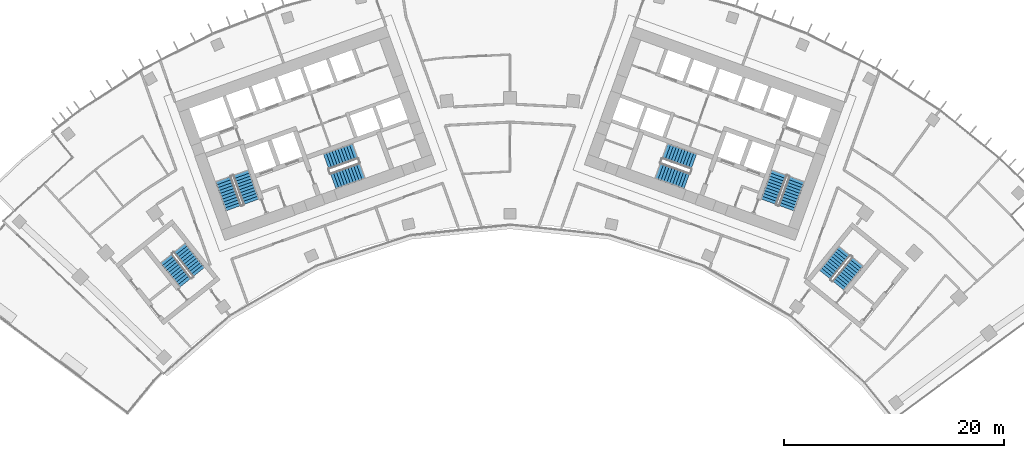
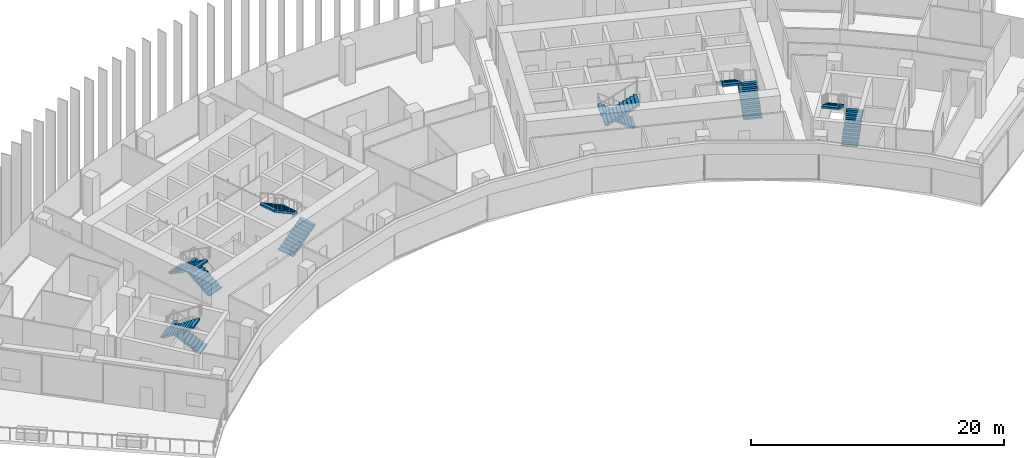
# One storey, part 18 of 20: 12 stair flights, 6 elements without a shape of their own.
"""IFC4 building model written with IfcOpenShell, lengths in metres."""

import ifcopenshell
import ifcopenshell.guid

model = None  # the IFC model being written
_history = None  # IfcOwnerHistory: only IFC2X3 demands one
_inside = {}  # id of a spatial element -> (the spatial element, [elements in it])
_under = {}  # id of a project, library or spatial element -> (it, [spatial elements below it])
_declared = {}  # id of a project -> (the project, [libraries it declares])
_typed = {}  # id of a type object -> (the type object, [elements of that type])
_made_of = {}  # id of a material, layer set ... -> (it, [elements and type objects made of it])


def new_model(schema):
    """Start an empty IFC model of exactly this schema.

    Asked for "IFC4X3", IfcOpenShell would pick the latest addendum, in which some entities
    have other attributes; the version numbers below select the first issue.
    IFC2X3 requires an IfcOwnerHistory on every rooted entity: one is made here for all.
    """
    global model, _history
    if schema == "IFC4X3":
        model = ifcopenshell.file(schema_version=(4, 3, 0, 0))
    else:
        model = ifcopenshell.file(schema=schema)
    _inside.clear()
    _under.clear()
    _declared.clear()
    _typed.clear()
    _made_of.clear()
    _history = None
    if model.schema == "IFC2X3":
        org = make("IfcOrganization", Name="unknown")
        user = make(
            "IfcPersonAndOrganization",
            ThePerson=make("IfcPerson", FamilyName="unknown"),
            TheOrganization=org,
        )
        app = make(
            "IfcApplication",
            ApplicationDeveloper=org,
            Version="unknown",
            ApplicationFullName="unknown",
            ApplicationIdentifier="unknown",
        )
        _history = make(
            "IfcOwnerHistory",
            OwningUser=user,
            OwningApplication=app,
            ChangeAction="ADDED",
            CreationDate=0,
        )
    return model


def make(cls, **values):
    """One entity of the class cls with the attributes given. An attribute that is None is left unset."""
    return model.create_entity(
        cls, **{name: value for name, value in values.items() if value is not None}
    )


def rooted(cls, **values):
    """An entity with a GlobalId (a new one), such as an element, a storey or a relation."""
    return make(cls, GlobalId=ifcopenshell.guid.new(), OwnerHistory=_history, **values)


def si_unit(unit_type, name, prefix=None):
    """IfcSIUnit, for example si_unit("LENGTHUNIT", "METRE", prefix="MILLI")."""
    return make("IfcSIUnit", UnitType=unit_type, Prefix=prefix, Name=name)


def assignment(units):
    """IfcUnitAssignment: the units of a project."""
    return None if units is None else make("IfcUnitAssignment", Units=units)


def point(xyz):
    """IfcCartesianPoint."""
    return None if xyz is None else make("IfcCartesianPoint", Coordinates=xyz)


def direction(xyz):
    """IfcDirection."""
    return None if xyz is None else make("IfcDirection", DirectionRatios=xyz)


def frame(location, z_axis=None, x_axis=None):
    """IfcAxis2Placement3D, a coordinate frame: its origin and axes. An axis left out is left unset."""
    return make(
        "IfcAxis2Placement3D",
        Location=point(location),
        Axis=direction(z_axis),
        RefDirection=direction(x_axis),
    )


def origin():
    """The frame at (0, 0, 0) with its axes left unset."""
    return frame((0.0, 0.0, 0.0))


def place(relative_to, where):
    """IfcLocalPlacement: puts the frame where relative to a parent placement (None: the world)."""
    return make(
        "IfcLocalPlacement", PlacementRelTo=relative_to, RelativePlacement=where
    )


def context(
    kind, dimensions, precision=None, world=None, true_north=None, identifier=None
):
    """IfcGeometricRepresentationContext, for example the 3D "Model" context."""
    return make(
        "IfcGeometricRepresentationContext",
        ContextIdentifier=identifier,
        ContextType=kind,
        CoordinateSpaceDimension=dimensions,
        Precision=precision,
        WorldCoordinateSystem=world,
        TrueNorth=true_north,
    )


def subcontext(parent, identifier, kind, view, scale=None):
    """IfcGeometricRepresentationSubContext, for example "Body" below "Model"."""
    return make(
        "IfcGeometricRepresentationSubContext",
        ContextIdentifier=identifier,
        ContextType=kind,
        ParentContext=parent,
        TargetScale=scale,
        TargetView=view,
    )


def project(units=None, contexts=None):
    """IfcProject with its units and contexts."""
    return rooted(
        "IfcProject",
        Name="project",
        RepresentationContexts=contexts,
        UnitsInContext=assignment(units),
    )


def spatial(cls, under=None, at=None, **own):
    """A site, building, storey or space (cls), placed at a placement, below another one or the project."""
    s = rooted(cls, ObjectPlacement=at, **own)
    if under is not None:
        _under.setdefault(under.id(), (under, []))[1].append(s)
    return s


def polyline(points):
    """IfcPolyline through the points."""
    return make("IfcPolyline", Points=[point(p) for p in points])


def outline(outer, holes=None, kind="AREA"):
    """IfcArbitraryClosedProfileDef: a profile drawn as a closed curve; with holes, ...WithVoids."""
    if holes is None:
        return make("IfcArbitraryClosedProfileDef", ProfileType=kind, OuterCurve=outer)
    return make(
        "IfcArbitraryProfileDefWithVoids",
        ProfileType=kind,
        OuterCurve=outer,
        InnerCurves=holes,
    )


def extrude(swept, where, along, depth):
    """IfcExtrudedAreaSolid: the profile swept, set in the frame where, extruded along a direction by depth."""
    return make(
        "IfcExtrudedAreaSolid",
        SweptArea=swept,
        Position=where,
        ExtrudedDirection=direction(along),
        Depth=depth,
    )


def shape(context_of_items, identifier, shape_type, items):
    """IfcShapeRepresentation: the items that make up one representation, for example the "Body"."""
    return make(
        "IfcShapeRepresentation",
        ContextOfItems=context_of_items,
        RepresentationIdentifier=identifier,
        RepresentationType=shape_type,
        Items=items,
    )


def material(Name=None, Category=None):
    """IfcMaterial."""
    return make("IfcMaterial", Name=Name, Category=Category)


def made_of(thing, what):
    """Note that an element or type object is made of a material, layer set ...; save() writes the relation."""
    if what is not None:
        _made_of.setdefault(what.id(), (what, []))[1].append(thing)
    return thing


def type_object(cls, material=None, **own):
    """A type object (cls), such as IfcWallType, which elements share."""
    return made_of(rooted(cls, **own), material)


def element(
    cls,
    number,
    at=None,
    inside=None,
    cuts=None,
    type_object=None,
    material=None,
    context=None,
    identifier="Body",
    shape_type=None,
    held_by="IfcProductDefinitionShape",
    body=None,
    shapes=None,
    **own,
):
    """One element of the class cls, such as IfcWall. Its Tag is "e" and its number.

    at: its placement. inside: the storey or other place that contains it. cuts: it is an
    opening in that element (IfcRelVoidsElement). A single representation is given by context,
    identifier, shape_type and body (its items); several are given by shapes. held_by: the class
    of the entity that holds the representations. save() writes the other relations.
    """
    e = rooted(cls, Tag="e%d" % number, ObjectPlacement=at, **own)
    if body is not None:
        shapes = [shape(context, identifier, shape_type, body)]
    if shapes is not None:
        e.Representation = make(held_by, Representations=shapes)
    if inside is not None:
        _inside.setdefault(inside.id(), (inside, []))[1].append(e)
    if cuts is not None:
        rooted(
            "IfcRelVoidsElement", RelatingBuildingElement=cuts, RelatedOpeningElement=e
        )
    if type_object is not None:
        _typed.setdefault(type_object.id(), (type_object, []))[1].append(e)
    return made_of(e, material)


def aggregate(whole, parts):
    """IfcRelAggregates: a whole, such as a stair, and the parts it consists of."""
    return rooted("IfcRelAggregates", RelatingObject=whole, RelatedObjects=parts)


def save(model, path):
    """Write the relations noted so far, then the file.

    IfcRelAggregates (storeys below a building ...), IfcRelContainedInSpatialStructure (elements
    in a storey), IfcRelDefinesByType, IfcRelAssociatesMaterial and IfcRelDeclares: one each for
    every whole, place, type object, material and project.
    """
    for whole, parts in _under.values():
        aggregate(whole, parts)
    for where, things in _inside.values():
        rooted(
            "IfcRelContainedInSpatialStructure",
            RelatedElements=things,
            RelatingStructure=where,
        )
    for kind, things in _typed.values():
        rooted("IfcRelDefinesByType", RelatedObjects=things, RelatingType=kind)
    for what, things in _made_of.values():
        rooted("IfcRelAssociatesMaterial", RelatedObjects=things, RelatingMaterial=what)
    for by, libraries in _declared.values():
        rooted("IfcRelDeclares", RelatingContext=by, RelatedDefinitions=libraries)
    model.write(path)


model = new_model("IFC4")

# Units and contexts
model_context = context("Model", 3, precision=1e-05, world=origin(), true_north=direction((0.0, 1.0)))
body_context = subcontext(model_context, "Body", "Model", "MODEL_VIEW")
ifc_project = project(units=[si_unit("LENGTHUNIT", "METRE"), si_unit("AREAUNIT", "SQUARE_METRE"), si_unit("VOLUMEUNIT", "CUBIC_METRE"), si_unit("PLANEANGLEUNIT", "RADIAN"), si_unit("MASSUNIT", "GRAM", prefix="KILO")], contexts=[model_context])

# Site, building, storey
site_placement = place(None, origin())
site = spatial("IfcSite", under=ifc_project, at=site_placement, CompositionType="ELEMENT")
building_placement = place(site_placement, origin())
building = spatial("IfcBuilding", under=site, at=building_placement, Name="Stone Belt Terrace Tower", CompositionType="ELEMENT")
storey_placement = place(building_placement, frame((0.0, 0.0, 201.0)))
storey = spatial("IfcBuildingStorey", under=building, at=storey_placement, Name="L48", CompositionType="ELEMENT", Elevation=201.0)

# Stair, stair flights
ifc_material = material(Name="Concrete B40", Category="concrete")
stair_type = type_object("IfcStairType", Name="Exit stair 1500", PredefinedType="HALF_TURN_STAIR", material=ifc_material)
stair_1_placement = place(storey_placement, origin())
stair_1 = element("IfcStair", 1, at=stair_1_placement, inside=storey, type_object=stair_type, Name="L48 Exit stair 1 core A", PredefinedType="HALF_TURN_STAIR")
stair_flight_type = type_object("IfcStairFlightType", Name="Stair flight 1500", PredefinedType="STRAIGHT", material=ifc_material)
stair_flight_1_placement = place(storey_placement, frame((-23.55322265625, 45.51318359375, 0.0), z_axis=(0.0, 0.0, 1.0), x_axis=(-0.338624396177, 0.940921632398, 0.0)))
stair_flight_1 = element("IfcStairFlight", 2, at=stair_flight_1_placement, type_object=stair_flight_type, Name="ST1A flight 1", NumberOfRisers=11, NumberOfTreads=10, PredefinedType="STRAIGHT", RiserHeight=0.172727273, TreadLength=0.28, context=body_context, shape_type="SweptSolid", body=[
    extrude(outline(polyline([(0.0, 0.0), (0.0, 0.172607421875), (0.280029296875, 0.172607421875), (0.280029296875, 0.345458984375), (0.56005859375, 0.345458984375), (0.56005859375, 0.51806640625), (0.840087890625, 0.51806640625), (0.840087890625, 0.69091796875), (1.1201171875, 0.69091796875), (1.1201171875, 0.863525390625), (1.39990234375, 0.863525390625), (1.39990234375, 1.036376953125), (1.679931640625, 1.036376953125), (1.679931640625, 1.208984375), (1.9599609375, 1.208984375), (1.9599609375, 1.3818359375), (2.239990234375, 1.3818359375), (2.239990234375, 1.554443359375), (2.52001953125, 1.554443359375), (2.52001953125, 1.727294921875), (2.800048828125, 1.727294921875), (2.800048828125, 1.89990234375), (2.800048828125, 1.551025390625), (0.285400390625, 0.0), (0.0, 0.0)])), frame((0.0, 0.75, 0.0), z_axis=(0.0, -1.0, 0.0), x_axis=(1.0, 0.0, 0.0)), (0.0, 0.0, 1.0), 1.5),
])
stair_flight_2_placement = place(storey_placement, frame((-26.10107421875, 47.572021484375, 1.89990234375), z_axis=(0.0, 0.0, 1.0), x_axis=(0.338624396177, -0.940921632398, 0.0)))
stair_flight_2 = element("IfcStairFlight", 3, at=stair_flight_2_placement, type_object=stair_flight_type, Name="ST1A flight 2", NumberOfRisers=11, NumberOfTreads=10, PredefinedType="STRAIGHT", RiserHeight=0.172727273, TreadLength=0.28, context=body_context, shape_type="SweptSolid", body=[
    extrude(outline(polyline([(0.0, 0.0), (0.0, 0.172607421875), (0.280029296875, 0.172607421875), (0.280029296875, 0.345458984375), (0.56005859375, 0.345458984375), (0.56005859375, 0.51806640625), (0.840087890625, 0.51806640625), (0.840087890625, 0.69091796875), (1.1201171875, 0.69091796875), (1.1201171875, 0.863525390625), (1.39990234375, 0.863525390625), (1.39990234375, 1.036376953125), (1.679931640625, 1.036376953125), (1.679931640625, 1.208984375), (1.9599609375, 1.208984375), (1.9599609375, 1.3818359375), (2.239990234375, 1.3818359375), (2.239990234375, 1.554443359375), (2.52001953125, 1.554443359375), (2.52001953125, 1.727294921875), (2.800048828125, 1.727294921875), (2.800048828125, 1.89990234375), (2.800048828125, 1.551025390625), (0.285400390625, 0.0), (0.0, 0.0)])), frame((0.0, 0.75, 0.0), z_axis=(0.0, -1.0, 0.0), x_axis=(1.0, 0.0, 0.0)), (0.0, 0.0, 1.0), 1.5),
])
aggregate(stair_1, [stair_flight_1, stair_flight_2])

stair_2_placement = place(storey_placement, origin())
stair_2 = element("IfcStair", 4, at=stair_2_placement, inside=storey, type_object=stair_type, Name="L48 Exit stair 2 core A", PredefinedType="HALF_TURN_STAIR")
stair_flight_3_placement = place(storey_placement, frame((-16.101318359375, 47.39794921875, 0.0), z_axis=(0.0, 0.0, 1.0), x_axis=(0.940921632398, 0.338624396177, 0.0)))
stair_flight_3 = element("IfcStairFlight", 5, at=stair_flight_3_placement, type_object=stair_flight_type, Name="ST2A flight 1", NumberOfRisers=11, NumberOfTreads=10, PredefinedType="STRAIGHT", RiserHeight=0.172727273, TreadLength=0.28, context=body_context, shape_type="SweptSolid", body=[
    extrude(outline(polyline([(0.0, 0.0), (0.0, 0.172607421875), (0.280029296875, 0.172607421875), (0.280029296875, 0.345458984375), (0.56005859375, 0.345458984375), (0.56005859375, 0.51806640625), (0.840087890625, 0.51806640625), (0.840087890625, 0.69091796875), (1.1201171875, 0.69091796875), (1.1201171875, 0.863525390625), (1.39990234375, 0.863525390625), (1.39990234375, 1.036376953125), (1.679931640625, 1.036376953125), (1.679931640625, 1.208984375), (1.9599609375, 1.208984375), (1.9599609375, 1.3818359375), (2.239990234375, 1.3818359375), (2.239990234375, 1.554443359375), (2.52001953125, 1.554443359375), (2.52001953125, 1.727294921875), (2.800048828125, 1.727294921875), (2.800048828125, 1.89990234375), (2.800048828125, 1.551025390625), (0.285400390625, 0.0), (0.0, 0.0)])), frame((0.0, 0.75, 0.0), z_axis=(0.0, -1.0, 0.0), x_axis=(1.0, 0.0, 0.0)), (0.0, 0.0, 1.0), 1.5),
])
stair_flight_4_placement = place(storey_placement, frame((-14.110107421875, 50.1337890625, 1.89990234375), z_axis=(0.0, 0.0, 1.0), x_axis=(-0.940921632398, -0.338624396177, 0.0)))
stair_flight_4 = element("IfcStairFlight", 6, at=stair_flight_4_placement, type_object=stair_flight_type, Name="ST2A flight 2", NumberOfRisers=11, NumberOfTreads=10, PredefinedType="STRAIGHT", RiserHeight=0.172727273, TreadLength=0.28, context=body_context, shape_type="SweptSolid", body=[
    extrude(outline(polyline([(0.0, 0.0), (0.0, 0.172607421875), (0.280029296875, 0.172607421875), (0.280029296875, 0.345458984375), (0.56005859375, 0.345458984375), (0.56005859375, 0.51806640625), (0.840087890625, 0.51806640625), (0.840087890625, 0.69091796875), (1.1201171875, 0.69091796875), (1.1201171875, 0.863525390625), (1.39990234375, 0.863525390625), (1.39990234375, 1.036376953125), (1.679931640625, 1.036376953125), (1.679931640625, 1.208984375), (1.9599609375, 1.208984375), (1.9599609375, 1.3818359375), (2.239990234375, 1.3818359375), (2.239990234375, 1.554443359375), (2.52001953125, 1.554443359375), (2.52001953125, 1.727294921875), (2.800048828125, 1.727294921875), (2.800048828125, 1.89990234375), (2.800048828125, 1.551025390625), (0.285400390625, 0.0), (0.0, 0.0)])), frame((0.0, 0.75, 0.0), z_axis=(0.0, -1.0, 0.0), x_axis=(1.0, 0.0, 0.0)), (0.0, 0.0, 1.0), 1.5),
])
aggregate(stair_2, [stair_flight_3, stair_flight_4])

stair_3_placement = place(storey_placement, origin())
stair_3 = element("IfcStair", 7, at=stair_3_placement, inside=storey, type_object=stair_type, Name="L48 Exit stair 1 core B", PredefinedType="HALF_TURN_STAIR")
stair_flight_5_placement = place(storey_placement, frame((25.15283203125, 44.9375, 0.0), z_axis=(0.0, 0.0, 1.0), x_axis=(0.338624396177, 0.940921632398, 0.0)))
stair_flight_5 = element("IfcStairFlight", 8, at=stair_flight_5_placement, type_object=stair_flight_type, Name="ST1B flight 1", NumberOfRisers=11, NumberOfTreads=10, PredefinedType="STRAIGHT", RiserHeight=0.172727273, TreadLength=0.28, context=body_context, shape_type="SweptSolid", body=[
    extrude(outline(polyline([(0.0, 0.0), (0.0, 0.172607421875), (0.280029296875, 0.172607421875), (0.280029296875, 0.345458984375), (0.56005859375, 0.345458984375), (0.56005859375, 0.51806640625), (0.840087890625, 0.51806640625), (0.840087890625, 0.69091796875), (1.1201171875, 0.69091796875), (1.1201171875, 0.863525390625), (1.39990234375, 0.863525390625), (1.39990234375, 1.036376953125), (1.679931640625, 1.036376953125), (1.679931640625, 1.208984375), (1.9599609375, 1.208984375), (1.9599609375, 1.3818359375), (2.239990234375, 1.3818359375), (2.239990234375, 1.554443359375), (2.52001953125, 1.554443359375), (2.52001953125, 1.727294921875), (2.800048828125, 1.727294921875), (2.800048828125, 1.89990234375), (2.800048828125, 1.551025390625), (0.285400390625, 0.0), (0.0, 0.0)])), frame((0.0, 0.75, 0.0), z_axis=(0.0, -1.0, 0.0), x_axis=(1.0, 0.0, 0.0)), (0.0, 0.0, 1.0), 1.5),
])
stair_flight_6_placement = place(storey_placement, frame((24.50146484375, 48.147705078125, 1.89990234375), z_axis=(0.0, 0.0, 1.0), x_axis=(-0.338624396177, -0.940921632398, 0.0)))
stair_flight_6 = element("IfcStairFlight", 9, at=stair_flight_6_placement, type_object=stair_flight_type, Name="ST1B flight 2", NumberOfRisers=11, NumberOfTreads=10, PredefinedType="STRAIGHT", RiserHeight=0.172727273, TreadLength=0.28, context=body_context, shape_type="SweptSolid", body=[
    extrude(outline(polyline([(0.0, 0.0), (0.0, 0.172607421875), (0.280029296875, 0.172607421875), (0.280029296875, 0.345458984375), (0.56005859375, 0.345458984375), (0.56005859375, 0.51806640625), (0.840087890625, 0.51806640625), (0.840087890625, 0.69091796875), (1.1201171875, 0.69091796875), (1.1201171875, 0.863525390625), (1.39990234375, 0.863525390625), (1.39990234375, 1.036376953125), (1.679931640625, 1.036376953125), (1.679931640625, 1.208984375), (1.9599609375, 1.208984375), (1.9599609375, 1.3818359375), (2.239990234375, 1.3818359375), (2.239990234375, 1.554443359375), (2.52001953125, 1.554443359375), (2.52001953125, 1.727294921875), (2.800048828125, 1.727294921875), (2.800048828125, 1.89990234375), (2.800048828125, 1.551025390625), (0.285400390625, 0.0), (0.0, 0.0)])), frame((0.0, 0.75, 0.0), z_axis=(0.0, -1.0, 0.0), x_axis=(1.0, 0.0, 0.0)), (0.0, 0.0, 1.0), 1.5),
])
aggregate(stair_3, [stair_flight_5, stair_flight_6])

stair_4_placement = place(storey_placement, origin())
stair_4 = element("IfcStair", 10, at=stair_4_placement, inside=storey, type_object=stair_type, Name="L48 Exit stair 2 core B", PredefinedType="HALF_TURN_STAIR")
stair_flight_7_placement = place(storey_placement, frame((16.74462890625, 49.185546875, 0.0), z_axis=(0.0, 0.0, 1.0), x_axis=(-0.940921632398, 0.338624396177, 0.0)))
stair_flight_7 = element("IfcStairFlight", 11, at=stair_flight_7_placement, type_object=stair_flight_type, Name="ST2B flight 1", NumberOfRisers=11, NumberOfTreads=10, PredefinedType="STRAIGHT", RiserHeight=0.172727273, TreadLength=0.28, context=body_context, shape_type="SweptSolid", body=[
    extrude(outline(polyline([(0.0, 0.0), (0.0, 0.172607421875), (0.280029296875, 0.172607421875), (0.280029296875, 0.345458984375), (0.56005859375, 0.345458984375), (0.56005859375, 0.51806640625), (0.840087890625, 0.51806640625), (0.840087890625, 0.69091796875), (1.1201171875, 0.69091796875), (1.1201171875, 0.863525390625), (1.39990234375, 0.863525390625), (1.39990234375, 1.036376953125), (1.679931640625, 1.036376953125), (1.679931640625, 1.208984375), (1.9599609375, 1.208984375), (1.9599609375, 1.3818359375), (2.239990234375, 1.3818359375), (2.239990234375, 1.554443359375), (2.52001953125, 1.554443359375), (2.52001953125, 1.727294921875), (2.800048828125, 1.727294921875), (2.800048828125, 1.89990234375), (2.800048828125, 1.551025390625), (0.285400390625, 0.0), (0.0, 0.0)])), frame((0.0, 0.75, 0.0), z_axis=(0.0, -1.0, 0.0), x_axis=(1.0, 0.0, 0.0)), (0.0, 0.0, 1.0), 1.5),
])
stair_flight_8_placement = place(storey_placement, frame((13.466796875, 48.345947265625, 1.89990234375), z_axis=(0.0, 0.0, 1.0), x_axis=(0.940921632398, -0.338624396177, 0.0)))
stair_flight_8 = element("IfcStairFlight", 12, at=stair_flight_8_placement, type_object=stair_flight_type, Name="ST2B flight 2", NumberOfRisers=11, NumberOfTreads=10, PredefinedType="STRAIGHT", RiserHeight=0.172727273, TreadLength=0.28, context=body_context, shape_type="SweptSolid", body=[
    extrude(outline(polyline([(0.0, 0.0), (0.0, 0.172607421875), (0.280029296875, 0.172607421875), (0.280029296875, 0.345458984375), (0.56005859375, 0.345458984375), (0.56005859375, 0.51806640625), (0.840087890625, 0.51806640625), (0.840087890625, 0.69091796875), (1.1201171875, 0.69091796875), (1.1201171875, 0.863525390625), (1.39990234375, 0.863525390625), (1.39990234375, 1.036376953125), (1.679931640625, 1.036376953125), (1.679931640625, 1.208984375), (1.9599609375, 1.208984375), (1.9599609375, 1.3818359375), (2.239990234375, 1.3818359375), (2.239990234375, 1.554443359375), (2.52001953125, 1.554443359375), (2.52001953125, 1.727294921875), (2.800048828125, 1.727294921875), (2.800048828125, 1.89990234375), (2.800048828125, 1.551025390625), (0.285400390625, 0.0), (0.0, 0.0)])), frame((0.0, 0.75, 0.0), z_axis=(0.0, -1.0, 0.0), x_axis=(1.0, 0.0, 0.0)), (0.0, 0.0, 1.0), 1.5),
])
aggregate(stair_4, [stair_flight_7, stair_flight_8])

stair_5_placement = place(storey_placement, origin())
stair_5 = element("IfcStair", 13, at=stair_5_placement, inside=storey, type_object=stair_type, Name="L48 Exit stair 3A", PredefinedType="HALF_TURN_STAIR")
stair_flight_9_placement = place(storey_placement, frame((-28.325439453125, 39.1240234375, 0.0), z_axis=(0.0, 0.0, 1.0), x_axis=(-0.623121363691, 0.782125160132, 0.0)))
stair_flight_9 = element("IfcStairFlight", 14, at=stair_flight_9_placement, type_object=stair_flight_type, Name="ST3A flight 1", NumberOfRisers=11, NumberOfTreads=10, PredefinedType="STRAIGHT", RiserHeight=0.172727273, TreadLength=0.28, context=body_context, shape_type="SweptSolid", body=[
    extrude(outline(polyline([(0.0, 0.0), (0.0, 0.172607421875), (0.280029296875, 0.172607421875), (0.280029296875, 0.345458984375), (0.56005859375, 0.345458984375), (0.56005859375, 0.51806640625), (0.840087890625, 0.51806640625), (0.840087890625, 0.69091796875), (1.1201171875, 0.69091796875), (1.1201171875, 0.863525390625), (1.39990234375, 0.863525390625), (1.39990234375, 1.036376953125), (1.679931640625, 1.036376953125), (1.679931640625, 1.208984375), (1.9599609375, 1.208984375), (1.9599609375, 1.3818359375), (2.239990234375, 1.3818359375), (2.239990234375, 1.554443359375), (2.52001953125, 1.554443359375), (2.52001953125, 1.727294921875), (2.800048828125, 1.727294921875), (2.800048828125, 1.89990234375), (2.800048828125, 1.551025390625), (0.285400390625, 0.0), (0.0, 0.0)])), frame((0.0, 0.675048828125, 0.0), z_axis=(0.0, -1.0, 0.0), x_axis=(1.0, 0.0, 0.0)), (0.0, 0.0, 1.0), 1.35009765625),
])
stair_flight_10_placement = place(storey_placement, frame((-31.282470703125, 40.34814453125, 1.89990234375), z_axis=(0.0, 0.0, 1.0), x_axis=(0.623121363691, -0.782125160132, 0.0)))
stair_flight_10 = element("IfcStairFlight", 15, at=stair_flight_10_placement, type_object=stair_flight_type, Name="ST3A flight 2", NumberOfRisers=11, NumberOfTreads=10, PredefinedType="STRAIGHT", RiserHeight=0.172727273, TreadLength=0.28, context=body_context, shape_type="SweptSolid", body=[
    extrude(outline(polyline([(0.0, 0.0), (0.0, 0.172607421875), (0.280029296875, 0.172607421875), (0.280029296875, 0.345458984375), (0.56005859375, 0.345458984375), (0.56005859375, 0.51806640625), (0.840087890625, 0.51806640625), (0.840087890625, 0.69091796875), (1.1201171875, 0.69091796875), (1.1201171875, 0.863525390625), (1.39990234375, 0.863525390625), (1.39990234375, 1.036376953125), (1.679931640625, 1.036376953125), (1.679931640625, 1.208984375), (1.9599609375, 1.208984375), (1.9599609375, 1.3818359375), (2.239990234375, 1.3818359375), (2.239990234375, 1.554443359375), (2.52001953125, 1.554443359375), (2.52001953125, 1.727294921875), (2.800048828125, 1.727294921875), (2.800048828125, 1.89990234375), (2.800048828125, 1.551025390625), (0.285400390625, 0.0), (0.0, 0.0)])), frame((0.0, 0.675048828125, 0.0), z_axis=(0.0, -1.0, 0.0), x_axis=(1.0, 0.0, 0.0)), (0.0, 0.0, 1.0), 1.35009765625),
])
aggregate(stair_5, [stair_flight_9, stair_flight_10])

stair_6_placement = place(storey_placement, origin())
stair_6 = element("IfcStair", 16, at=stair_6_placement, inside=storey, type_object=stair_type, Name="L48 Exit stair 3B", PredefinedType="HALF_TURN_STAIR")
stair_flight_11_placement = place(storey_placement, frame((29.88330078125, 37.887939453125, 0.0), z_axis=(0.0, 0.0, 1.0), x_axis=(0.630205749599, 0.776428176441, 0.0)))
stair_flight_11 = element("IfcStairFlight", 17, at=stair_flight_11_placement, type_object=stair_flight_type, Name="ST3B flight 1", NumberOfRisers=11, NumberOfTreads=10, PredefinedType="STRAIGHT", RiserHeight=0.172727273, TreadLength=0.28, context=body_context, shape_type="SweptSolid", body=[
    extrude(outline(polyline([(0.0, 0.0), (0.0, 0.172607421875), (0.280029296875, 0.172607421875), (0.280029296875, 0.345458984375), (0.56005859375, 0.345458984375), (0.56005859375, 0.51806640625), (0.840087890625, 0.51806640625), (0.840087890625, 0.69091796875), (1.1201171875, 0.69091796875), (1.1201171875, 0.863525390625), (1.39990234375, 0.863525390625), (1.39990234375, 1.036376953125), (1.679931640625, 1.036376953125), (1.679931640625, 1.208984375), (1.9599609375, 1.208984375), (1.9599609375, 1.3818359375), (2.239990234375, 1.3818359375), (2.239990234375, 1.554443359375), (2.52001953125, 1.554443359375), (2.52001953125, 1.727294921875), (2.800048828125, 1.727294921875), (2.800048828125, 1.89990234375), (2.800048828125, 1.551025390625), (0.285400390625, 0.0), (0.0, 0.0)])), frame((0.0, 0.675048828125, 0.0), z_axis=(0.0, -1.0, 0.0), x_axis=(1.0, 0.0, 0.0)), (0.0, 0.0, 1.0), 1.35009765625),
])
stair_flight_12_placement = place(storey_placement, frame((30.4443359375, 41.038818359375, 1.89990234375), z_axis=(0.0, 0.0, 1.0), x_axis=(-0.630205749599, -0.776428176441, 0.0)))
stair_flight_12 = element("IfcStairFlight", 18, at=stair_flight_12_placement, type_object=stair_flight_type, Name="ST3B flight 2", NumberOfRisers=11, NumberOfTreads=10, PredefinedType="STRAIGHT", RiserHeight=0.172727273, TreadLength=0.28, context=body_context, shape_type="SweptSolid", body=[
    extrude(outline(polyline([(0.0, 0.0), (0.0, 0.172607421875), (0.280029296875, 0.172607421875), (0.280029296875, 0.345458984375), (0.56005859375, 0.345458984375), (0.56005859375, 0.51806640625), (0.840087890625, 0.51806640625), (0.840087890625, 0.69091796875), (1.1201171875, 0.69091796875), (1.1201171875, 0.863525390625), (1.39990234375, 0.863525390625), (1.39990234375, 1.036376953125), (1.679931640625, 1.036376953125), (1.679931640625, 1.208984375), (1.9599609375, 1.208984375), (1.9599609375, 1.3818359375), (2.239990234375, 1.3818359375), (2.239990234375, 1.554443359375), (2.52001953125, 1.554443359375), (2.52001953125, 1.727294921875), (2.800048828125, 1.727294921875), (2.800048828125, 1.89990234375), (2.800048828125, 1.551025390625), (0.285400390625, 0.0), (0.0, 0.0)])), frame((0.0, 0.675048828125, 0.0), z_axis=(0.0, -1.0, 0.0), x_axis=(1.0, 0.0, 0.0)), (0.0, 0.0, 1.0), 1.35009765625),
])
aggregate(stair_6, [stair_flight_11, stair_flight_12])

save(model, "model.ifc")
